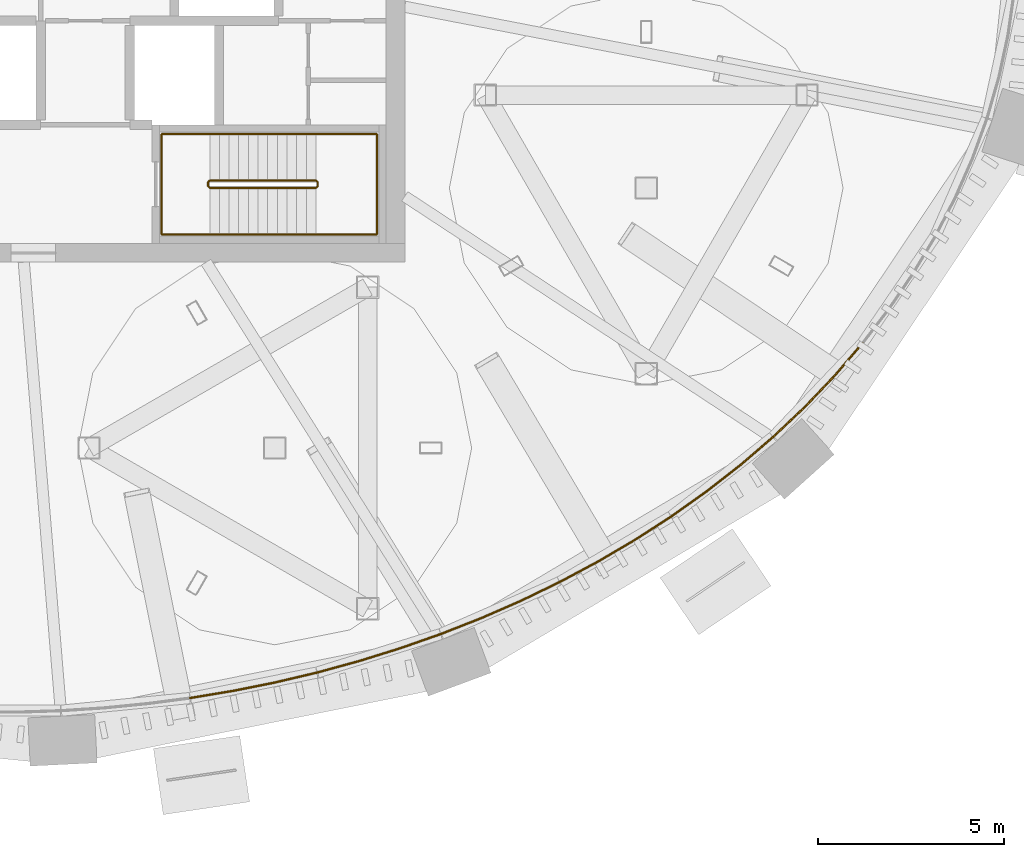
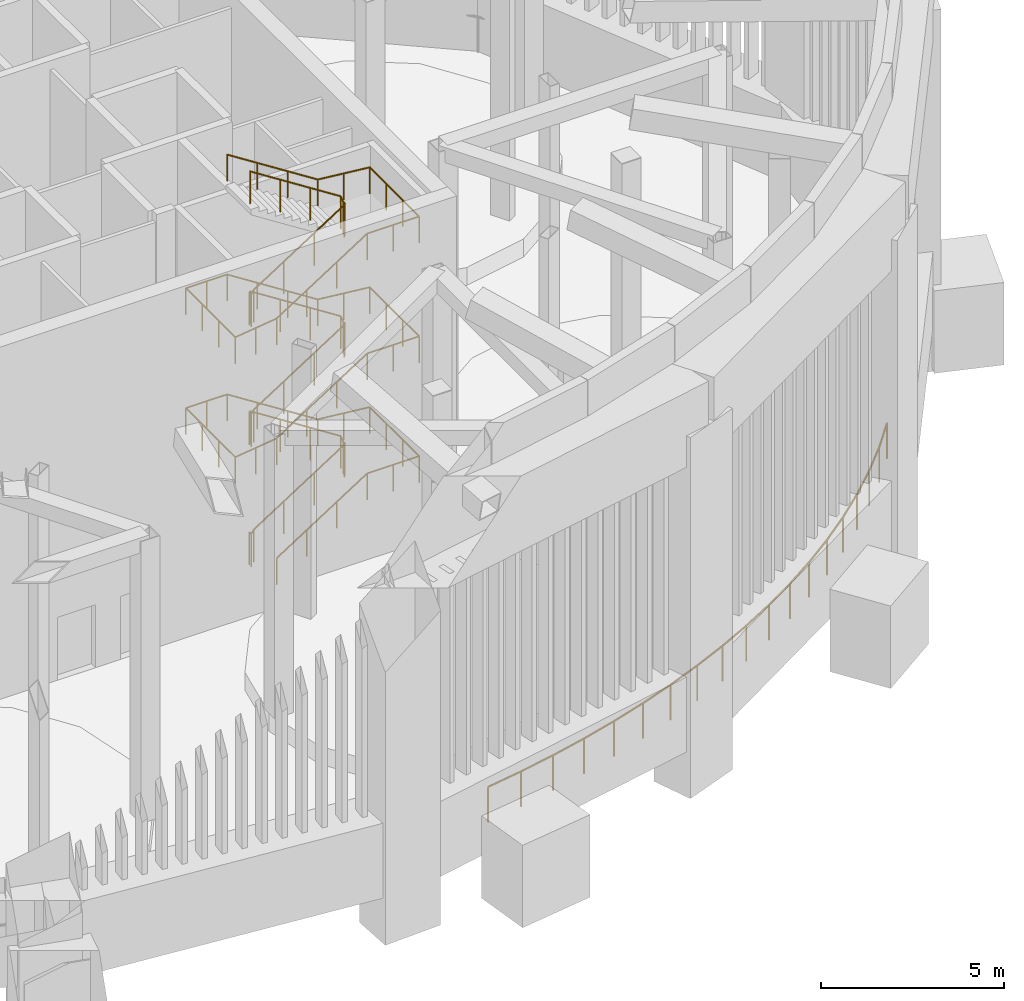
# One storey, part 12 of 14: 5 railings.
"""IFC4 building model written with IfcOpenShell, lengths in metres."""

from ifc_helpers import new_model, si_unit, direction, frame, origin, origin_2d, place, context, subcontext, project, spatial, circle, extrude, source, transform, mapped, material, type_object, element, save


model = new_model("IFC4")

# Units and contexts
model_context = context("Model", 3, precision=1e-05, world=origin(), true_north=direction((0.0, 1.0)))
body_context = subcontext(model_context, "Body", "Model", "MODEL_VIEW")
ifc_project = project(units=[si_unit("LENGTHUNIT", "METRE"), si_unit("AREAUNIT", "SQUARE_METRE"), si_unit("VOLUMEUNIT", "CUBIC_METRE"), si_unit("PLANEANGLEUNIT", "RADIAN"), si_unit("MASSUNIT", "GRAM", prefix="KILO")], contexts=[model_context])

# Site, building, storey
site_placement = place(None, origin())
site = spatial("IfcSite", under=ifc_project, at=site_placement, CompositionType="ELEMENT")
building_placement = place(site_placement, origin())
building = spatial("IfcBuilding", under=site, at=building_placement, Name="Embergate Tower", CompositionType="ELEMENT")
storey_placement = place(building_placement, frame((0.0, 0.0, 340.0)))
storey = spatial("IfcBuildingStorey", under=building, at=storey_placement, Name="L79", CompositionType="ELEMENT", Elevation=340.0)

# Railings
ifc_material_1 = material(Name="Steel Q355B", Category="steel")
railing_type_1 = type_object("IfcRailingType", Name="Slot edge guard", PredefinedType="GUARDRAIL", material=ifc_material_1)
shared_shape_1 = source(origin(), body_context, "Body", "SweptSolid", [
    extrude(circle(Radius=0.030029296875, at=origin_2d()), frame((0.0, 0.0, 1.169921875), z_axis=(0.986568377457, 0.163348818796, 0.0), x_axis=(-0.163348818796, 0.986568377457, 0.0)), (0.0, 0.0, 1.0), 1.168701171875),
    extrude(circle(Radius=0.030029296875, at=origin_2d()), frame((1.153076171875, 0.19091796875, 1.169921875), z_axis=(0.980475716763, 0.19664020148, 0.0), x_axis=(-0.19664020148, 0.980475716763, 0.0)), (0.0, 0.0, 1.0), 1.16455078125),
    extrude(circle(Radius=0.030029296875, at=origin_2d()), frame((2.294921875, 0.419921875, 1.169921875), z_axis=(0.973245494362, 0.229767725548, 0.0), x_axis=(-0.229767725548, 0.973245494362, 0.0)), (0.0, 0.0, 1.0), 1.158203125),
    extrude(circle(Radius=0.030029296875, at=origin_2d()), frame((3.422119140625, 0.68603515625, 1.169921875), z_axis=(0.964614558628, 0.26366409176, 0.0), x_axis=(-0.26366409176, 0.964614558628, 0.0)), (0.0, 0.0, 1.0), 1.17138671875),
    extrude(circle(Radius=0.030029296875, at=origin_2d()), frame((4.552001953125, 0.994873046875, 1.169921875), z_axis=(0.954789306627, 0.297283332782, 0.0), x_axis=(-0.297283332782, 0.954789306627, 0.0)), (0.0, 0.0, 1.0), 1.16357421875),
    extrude(circle(Radius=0.030029296875, at=origin_2d()), frame((5.6630859375, 1.3408203125, 1.169921875), z_axis=(0.943538634761, 0.331262501217, 0.0), x_axis=(-0.331262501217, 0.943538634761, 0.0)), (0.0, 0.0, 1.0), 1.15625),
    extrude(circle(Radius=0.02490234375, at=origin_2d()), origin(), (0.0, 0.0, 1.0), 1.139892578125),
    extrude(circle(Radius=0.02490234375, at=origin_2d()), frame((1.153076171875, 0.19091796875, 0.0)), (0.0, 0.0, 1.0), 1.139892578125),
    extrude(circle(Radius=0.02490234375, at=origin_2d()), frame((2.294921875, 0.419921875, 0.0)), (0.0, 0.0, 1.0), 1.139892578125),
    extrude(circle(Radius=0.02490234375, at=origin_2d()), frame((3.422119140625, 0.68603515625, 0.0)), (0.0, 0.0, 1.0), 1.139892578125),
    extrude(circle(Radius=0.02490234375, at=origin_2d()), frame((4.552001953125, 0.994873046875, 0.0)), (0.0, 0.0, 1.0), 1.139892578125),
    extrude(circle(Radius=0.02490234375, at=origin_2d()), frame((5.6630859375, 1.3408203125, 0.0)), (0.0, 0.0, 1.0), 1.139892578125),
    extrude(circle(Radius=0.02490234375, at=origin_2d()), frame((6.754150390625, 1.723876953125, 0.0)), (0.0, 0.0, 1.0), 1.139892578125),
])
railing_1_placement = place(storey_placement, frame((5.219970703125, -20.73193359375, 0.0)))
element("IfcRailing", 1, at=railing_1_placement, inside=storey, type_object=railing_type_1, Name="GRD-L79-17", PredefinedType="GUARDRAIL", context=body_context, shape_type="MappedRepresentation", body=[
    mapped(shared_shape_1, transform((0.0, 0.0, 0.0))),
])
shared_shape_2 = source(origin(), body_context, "Body", "SweptSolid", [
    extrude(circle(Radius=0.030029296875, at=origin_2d()), frame((0.0, 0.0, 1.169921875), z_axis=(0.93074137423, 0.365678129365, 0.0), x_axis=(-0.365678129365, 0.93074137423, 0.0)), (0.0, 0.0, 1.0), 1.173095703125),
    extrude(circle(Radius=0.030029296875, at=origin_2d()), frame((1.091796875, 0.428955078125, 1.169921875), z_axis=(0.91627768128, 0.400543644049, 0.0), x_axis=(-0.400543644049, 0.91627768128, 0.0)), (0.0, 0.0, 1.0), 1.16357421875),
    extrude(circle(Radius=0.030029296875, at=origin_2d()), frame((2.157958984375, 0.89501953125, 1.169921875), z_axis=(0.899904745665, 0.436086515189, 0.0), x_axis=(-0.436086515189, 0.899904745665, 0.0)), (0.0, 0.0, 1.0), 1.1533203125),
    extrude(circle(Radius=0.030029296875, at=origin_2d()), frame((3.19580078125, 1.39794921875, 1.169921875), z_axis=(0.882134203218, 0.470998139607, 0.0), x_axis=(-0.470998139607, 0.882134203218, 0.0)), (0.0, 0.0, 1.0), 1.174560546875),
    extrude(circle(Radius=0.030029296875, at=origin_2d()), frame((4.23193359375, 1.951171875, 1.169921875), z_axis=(0.86234405618, 0.506322751584, 0.0), x_axis=(-0.506322751584, 0.86234405618, 0.0)), (0.0, 0.0, 1.0), 1.1630859375),
    extrude(circle(Radius=0.030029296875, at=origin_2d()), frame((5.23486328125, 2.5400390625, 1.169921875), z_axis=(0.83999704899, 0.542590967202, 0.0), x_axis=(-0.542590967202, 0.83999704899, 0.0)), (0.0, 0.0, 1.0), 1.150146484375),
    extrude(circle(Radius=0.02490234375, at=origin_2d()), origin(), (0.0, 0.0, 1.0), 1.139892578125),
    extrude(circle(Radius=0.02490234375, at=origin_2d()), frame((1.091796875, 0.428955078125, 0.0)), (0.0, 0.0, 1.0), 1.139892578125),
    extrude(circle(Radius=0.02490234375, at=origin_2d()), frame((2.157958984375, 0.89501953125, 0.0)), (0.0, 0.0, 1.0), 1.139892578125),
    extrude(circle(Radius=0.02490234375, at=origin_2d()), frame((3.19580078125, 1.39794921875, 0.0)), (0.0, 0.0, 1.0), 1.139892578125),
    extrude(circle(Radius=0.02490234375, at=origin_2d()), frame((4.23193359375, 1.951171875, 0.0)), (0.0, 0.0, 1.0), 1.139892578125),
    extrude(circle(Radius=0.02490234375, at=origin_2d()), frame((5.23486328125, 2.5400390625, 0.0)), (0.0, 0.0, 1.0), 1.139892578125),
    extrude(circle(Radius=0.02490234375, at=origin_2d()), frame((6.200927734375, 3.1640625, 0.0)), (0.0, 0.0, 1.0), 1.139892578125),
])
railing_2_placement = place(storey_placement, frame((11.97412109375, -19.008056640625, 0.0)))
element("IfcRailing", 2, at=railing_2_placement, inside=storey, type_object=railing_type_1, Name="GRD-L79-18", PredefinedType="GUARDRAIL", context=body_context, shape_type="MappedRepresentation", body=[
    mapped(shared_shape_2, transform((0.0, 0.0, 0.0))),
])
shared_shape_3 = source(origin(), body_context, "Body", "SweptSolid", [
    extrude(circle(Radius=0.030029296875, at=origin_2d()), frame((0.0, 0.0, 1.169921875), z_axis=(0.815371226091, 0.578938480033, 0.0), x_axis=(-0.578938480033, 0.815371226091, 0.0)), (0.0, 0.0, 1.0), 1.176025390625),
    extrude(circle(Radius=0.030029296875, at=origin_2d()), frame((0.958984375, 0.680908203125, 1.169921875), z_axis=(0.788571535905, 0.614943032126, 0.0), x_axis=(-0.614943032126, 0.788571535905, 0.0)), (0.0, 0.0, 1.0), 1.162841796875),
    extrude(circle(Radius=0.030029296875, at=origin_2d()), frame((1.8759765625, 1.39599609375, 1.169921875), z_axis=(0.758204132151, 0.652017249764, 0.0), x_axis=(-0.652017249764, 0.758204132151, 0.0)), (0.0, 0.0, 1.0), 1.147216796875),
    extrude(circle(Radius=0.030029296875, at=origin_2d()), frame((2.745849609375, 2.14404296875, 1.169921875), z_axis=(0.72643762883, 0.687232399861, 0.0), x_axis=(-0.687232399861, 0.72643762883, 0.0)), (0.0, 0.0, 1.0), 1.177001953125),
    extrude(circle(Radius=0.030029296875, at=origin_2d()), frame((3.600830078125, 2.952880859375, 1.169921875), z_axis=(0.690080457651, 0.723732659183, 0.0), x_axis=(-0.723732659183, 0.690080457651, 0.0)), (0.0, 0.0, 1.0), 1.160888671875),
    extrude(circle(Radius=0.030029296875, at=origin_2d()), frame((4.40185546875, 3.79296875, 1.169921875), z_axis=(0.650931692548, 0.759136306362, 0.0), x_axis=(-0.759136306362, 0.650931692548, 0.0)), (0.0, 0.0, 1.0), 1.146240234375),
    extrude(circle(Radius=0.02490234375, at=origin_2d()), origin(), (0.0, 0.0, 1.0), 1.139892578125),
    extrude(circle(Radius=0.02490234375, at=origin_2d()), frame((0.958984375, 0.680908203125, 0.0)), (0.0, 0.0, 1.0), 1.139892578125),
    extrude(circle(Radius=0.02490234375, at=origin_2d()), frame((1.8759765625, 1.39599609375, 0.0)), (0.0, 0.0, 1.0), 1.139892578125),
    extrude(circle(Radius=0.02490234375, at=origin_2d()), frame((2.745849609375, 2.14404296875, 0.0)), (0.0, 0.0, 1.0), 1.139892578125),
    extrude(circle(Radius=0.02490234375, at=origin_2d()), frame((3.600830078125, 2.952880859375, 0.0)), (0.0, 0.0, 1.0), 1.139892578125),
    extrude(circle(Radius=0.02490234375, at=origin_2d()), frame((4.40185546875, 3.79296875, 0.0)), (0.0, 0.0, 1.0), 1.139892578125),
    extrude(circle(Radius=0.02490234375, at=origin_2d()), frame((5.14794921875, 4.6630859375, 0.0)), (0.0, 0.0, 1.0), 1.139892578125),
])
railing_3_placement = place(storey_placement, frame((18.175048828125, -15.843994140625, 0.0)))
element("IfcRailing", 3, at=railing_3_placement, inside=storey, type_object=railing_type_1, Name="GRD-L79-19", PredefinedType="GUARDRAIL", context=body_context, shape_type="MappedRepresentation", body=[
    mapped(shared_shape_3, transform((0.0, 0.0, 0.0))),
])
ifc_material_2 = material(Name="Stair guard 1100")
railing_type_2 = type_object("IfcRailingType", Name="Stair guard 1100", PredefinedType="GUARDRAIL", material=ifc_material_2)
shared_shape_4 = source(origin(), body_context, "Body", "SweptSolid", [
    extrude(circle(Radius=0.02392578125, at=origin_2d()), frame((0.0, 0.0, 1.076171875), z_axis=(0.0, -1.0, 0.0), x_axis=(1.0, 0.0, 0.0)), (0.0, 0.0, 1.0), 0.099853515625),
    extrude(circle(Radius=0.02392578125, at=origin_2d()), frame((0.0, -0.099853515625, 1.076171875), z_axis=(0.27628659633, -0.27628659633, 0.920506074601), x_axis=(0.707106781187, 0.707106781187, 0.0)), (0.0, 0.0, 1.0), 0.18115234375),
    extrude(circle(Radius=0.02392578125, at=origin_2d()), frame((0.050048828125, -0.14990234375, 1.24267578125), z_axis=(0.841899231129, 0.0, 0.539634769658), x_axis=(0.0, 1.0, 0.0)), (0.0, 0.0, 1.0), 3.397216796875),
    extrude(circle(Radius=0.02392578125, at=origin_2d()), frame((2.91015625, -0.14990234375, 3.076171875), z_axis=(0.705375805398, 0.708833529934, 0.0), x_axis=(-0.708833529934, 0.705375805398, 0.0)), (0.0, 0.0, 1.0), 0.070556640625),
    extrude(circle(Radius=0.02392578125, at=origin_2d()), frame((2.9599609375, -0.099853515625, 3.076171875), z_axis=(0.0, 1.0, 0.0), x_axis=(-1.0, 0.0, 0.0)), (0.0, 0.0, 1.0), 0.099853515625),
    extrude(circle(Radius=0.02392578125, at=origin_2d()), frame((2.9599609375, 0.0, 3.076171875), z_axis=(-0.275041040955, 0.276389281352, 0.920848191041), x_axis=(-0.708833529934, -0.705375805398, 0.0)), (0.0, 0.0, 1.0), 0.18115234375),
    extrude(circle(Radius=0.02392578125, at=origin_2d()), frame((2.91015625, 0.050048828125, 3.24267578125), z_axis=(-0.841899231129, 0.0, 0.539634769658), x_axis=(0.0, -1.0, 0.0)), (0.0, 0.0, 1.0), 3.397216796875),
    extrude(circle(Radius=0.02392578125, at=origin_2d()), frame((0.050048828125, 0.050048828125, 5.076171875), z_axis=(-0.707106781187, -0.707106781187, 0.0), x_axis=(0.707106781187, -0.707106781187, 0.0)), (0.0, 0.0, 1.0), 0.07080078125),
    extrude(circle(Radius=0.02392578125, at=origin_2d()), frame((0.0, 0.0, 5.076171875), z_axis=(0.0, -1.0, 0.0), x_axis=(1.0, 0.0, 0.0)), (0.0, 0.0, 1.0), 0.099853515625),
    extrude(circle(Radius=0.02392578125, at=origin_2d()), frame((0.0, -0.099853515625, 5.076171875), z_axis=(0.27628659633, -0.27628659633, 0.920506074601), x_axis=(0.707106781187, 0.707106781187, 0.0)), (0.0, 0.0, 1.0), 0.18115234375),
    extrude(circle(Radius=0.02392578125, at=origin_2d()), frame((0.050048828125, -0.14990234375, 5.24267578125), z_axis=(0.841899231129, 0.0, 0.539634769658), x_axis=(0.0, 1.0, 0.0)), (0.0, 0.0, 1.0), 3.397216796875),
    extrude(circle(Radius=0.02392578125, at=origin_2d()), frame((2.91015625, -0.14990234375, 7.076171875), z_axis=(0.705375805398, 0.708833529934, 0.0), x_axis=(-0.708833529934, 0.705375805398, 0.0)), (0.0, 0.0, 1.0), 0.070556640625),
    extrude(circle(Radius=0.02392578125, at=origin_2d()), frame((2.9599609375, -0.099853515625, 7.076171875), z_axis=(0.0, 1.0, 0.0), x_axis=(-1.0, 0.0, 0.0)), (0.0, 0.0, 1.0), 0.099853515625),
    extrude(circle(Radius=0.02392578125, at=origin_2d()), frame((2.9599609375, 0.0, 7.076171875), z_axis=(-0.275041040955, 0.276389281352, 0.920848191041), x_axis=(-0.708833529934, -0.705375805398, 0.0)), (0.0, 0.0, 1.0), 0.18115234375),
    extrude(circle(Radius=0.02392578125, at=origin_2d()), frame((2.91015625, 0.050048828125, 7.24267578125), z_axis=(-0.841899231129, 0.0, 0.539634769658), x_axis=(0.0, -1.0, 0.0)), (0.0, 0.0, 1.0), 3.397216796875),
    extrude(circle(Radius=0.02392578125, at=origin_2d()), frame((0.050048828125, 0.050048828125, 9.076171875), z_axis=(-0.707106781187, -0.707106781187, 0.0), x_axis=(0.707106781187, -0.707106781187, 0.0)), (0.0, 0.0, 1.0), 0.07080078125),
    extrude(circle(Radius=0.02392578125, at=origin_2d()), frame((0.0, 0.0, 9.076171875), z_axis=(0.0, -1.0, 0.0), x_axis=(1.0, 0.0, 0.0)), (0.0, 0.0, 1.0), 0.099853515625),
    extrude(circle(Radius=0.02392578125, at=origin_2d()), frame((0.0, -0.099853515625, 9.076171875), z_axis=(0.27628659633, -0.27628659633, 0.920506074601), x_axis=(0.707106781187, 0.707106781187, 0.0)), (0.0, 0.0, 1.0), 0.18115234375),
    extrude(circle(Radius=0.02392578125, at=origin_2d()), frame((0.050048828125, -0.14990234375, 9.24267578125), z_axis=(0.841899231129, 0.0, 0.539634769658), x_axis=(0.0, 1.0, 0.0)), (0.0, 0.0, 1.0), 3.397216796875),
    extrude(circle(Radius=0.02392578125, at=origin_2d()), frame((2.91015625, -0.14990234375, 11.076171875), z_axis=(0.705375805398, 0.708833529934, 0.0), x_axis=(-0.708833529934, 0.705375805398, 0.0)), (0.0, 0.0, 1.0), 0.070556640625),
    extrude(circle(Radius=0.02392578125, at=origin_2d()), frame((2.9599609375, -0.099853515625, 11.076171875), z_axis=(0.0, 1.0, 0.0), x_axis=(-1.0, 0.0, 0.0)), (0.0, 0.0, 1.0), 0.099853515625),
    extrude(circle(Radius=0.02392578125, at=origin_2d()), frame((2.9599609375, 0.0, 11.076171875), z_axis=(-0.275041040955, 0.276389281352, 0.920848191041), x_axis=(-0.708833529934, -0.705375805398, 0.0)), (0.0, 0.0, 1.0), 0.18115234375),
    extrude(circle(Radius=0.02392578125, at=origin_2d()), frame((2.91015625, 0.050048828125, 11.24267578125), z_axis=(-0.841899231129, 0.0, 0.539634769658), x_axis=(0.0, -1.0, 0.0)), (0.0, 0.0, 1.0), 3.397216796875),
    extrude(circle(Radius=0.02099609375, at=origin_2d()), origin(), (0.0, 0.0, 1.0), 1.052001953125),
    extrude(circle(Radius=0.02099609375, at=origin_2d()), frame((0.0, -0.099853515625, 0.0)), (0.0, 0.0, 1.0), 1.052001953125),
    extrude(circle(Radius=0.02099609375, at=origin_2d()), frame((0.050048828125, -0.14990234375, 0.166748046875)), (0.0, 0.0, 1.0), 1.052001953125),
    extrude(circle(Radius=0.02099609375, at=origin_2d()), frame((1.00341796875, -0.14990234375, 0.77783203125)), (0.0, 0.0, 1.0), 1.052001953125),
    extrude(circle(Radius=0.02099609375, at=origin_2d()), frame((1.956787109375, -0.14990234375, 1.388916015625)), (0.0, 0.0, 1.0), 1.052001953125),
    extrude(circle(Radius=0.02099609375, at=origin_2d()), frame((2.91015625, -0.14990234375, 2.0)), (0.0, 0.0, 1.0), 1.052001953125),
    extrude(circle(Radius=0.02099609375, at=origin_2d()), frame((2.9599609375, -0.099853515625, 2.0)), (0.0, 0.0, 1.0), 1.052001953125),
    extrude(circle(Radius=0.02099609375, at=origin_2d()), frame((2.9599609375, 0.0, 2.0)), (0.0, 0.0, 1.0), 1.052001953125),
    extrude(circle(Radius=0.02099609375, at=origin_2d()), frame((2.91015625, 0.050048828125, 2.166748046875)), (0.0, 0.0, 1.0), 1.052001953125),
    extrude(circle(Radius=0.02099609375, at=origin_2d()), frame((1.956787109375, 0.050048828125, 2.77783203125)), (0.0, 0.0, 1.0), 1.052001953125),
    extrude(circle(Radius=0.02099609375, at=origin_2d()), frame((1.00341796875, 0.050048828125, 3.388916015625)), (0.0, 0.0, 1.0), 1.052001953125),
    extrude(circle(Radius=0.02099609375, at=origin_2d()), frame((0.050048828125, 0.050048828125, 4.0)), (0.0, 0.0, 1.0), 1.052001953125),
    extrude(circle(Radius=0.02099609375, at=origin_2d()), frame((0.0, 0.0, 4.0)), (0.0, 0.0, 1.0), 1.052001953125),
    extrude(circle(Radius=0.02099609375, at=origin_2d()), frame((0.0, -0.099853515625, 4.0)), (0.0, 0.0, 1.0), 1.052001953125),
    extrude(circle(Radius=0.02099609375, at=origin_2d()), frame((0.050048828125, -0.14990234375, 4.166748046875)), (0.0, 0.0, 1.0), 1.052001953125),
    extrude(circle(Radius=0.02099609375, at=origin_2d()), frame((1.00341796875, -0.14990234375, 4.77783203125)), (0.0, 0.0, 1.0), 1.052001953125),
    extrude(circle(Radius=0.02099609375, at=origin_2d()), frame((1.956787109375, -0.14990234375, 5.388916015625)), (0.0, 0.0, 1.0), 1.052001953125),
    extrude(circle(Radius=0.02099609375, at=origin_2d()), frame((2.91015625, -0.14990234375, 6.0)), (0.0, 0.0, 1.0), 1.052001953125),
    extrude(circle(Radius=0.02099609375, at=origin_2d()), frame((2.9599609375, -0.099853515625, 6.0)), (0.0, 0.0, 1.0), 1.052001953125),
    extrude(circle(Radius=0.02099609375, at=origin_2d()), frame((2.9599609375, 0.0, 6.0)), (0.0, 0.0, 1.0), 1.052001953125),
    extrude(circle(Radius=0.02099609375, at=origin_2d()), frame((2.91015625, 0.050048828125, 6.166748046875)), (0.0, 0.0, 1.0), 1.052001953125),
    extrude(circle(Radius=0.02099609375, at=origin_2d()), frame((1.956787109375, 0.050048828125, 6.77783203125)), (0.0, 0.0, 1.0), 1.052001953125),
    extrude(circle(Radius=0.02099609375, at=origin_2d()), frame((1.00341796875, 0.050048828125, 7.388916015625)), (0.0, 0.0, 1.0), 1.052001953125),
    extrude(circle(Radius=0.02099609375, at=origin_2d()), frame((0.050048828125, 0.050048828125, 8.0)), (0.0, 0.0, 1.0), 1.052001953125),
    extrude(circle(Radius=0.02099609375, at=origin_2d()), frame((0.0, 0.0, 8.0)), (0.0, 0.0, 1.0), 1.052001953125),
    extrude(circle(Radius=0.02099609375, at=origin_2d()), frame((0.0, -0.099853515625, 8.0)), (0.0, 0.0, 1.0), 1.052001953125),
    extrude(circle(Radius=0.02099609375, at=origin_2d()), frame((0.050048828125, -0.14990234375, 8.166748046875)), (0.0, 0.0, 1.0), 1.052001953125),
    extrude(circle(Radius=0.02099609375, at=origin_2d()), frame((1.00341796875, -0.14990234375, 8.77783203125)), (0.0, 0.0, 1.0), 1.052001953125),
    extrude(circle(Radius=0.02099609375, at=origin_2d()), frame((1.956787109375, -0.14990234375, 9.388916015625)), (0.0, 0.0, 1.0), 1.052001953125),
    extrude(circle(Radius=0.02099609375, at=origin_2d()), frame((2.91015625, -0.14990234375, 10.0)), (0.0, 0.0, 1.0), 1.052001953125),
    extrude(circle(Radius=0.02099609375, at=origin_2d()), frame((2.9599609375, -0.099853515625, 10.0)), (0.0, 0.0, 1.0), 1.052001953125),
    extrude(circle(Radius=0.02099609375, at=origin_2d()), frame((2.9599609375, 0.0, 10.0)), (0.0, 0.0, 1.0), 1.052001953125),
    extrude(circle(Radius=0.02099609375, at=origin_2d()), frame((2.91015625, 0.050048828125, 10.166748046875)), (0.0, 0.0, 1.0), 1.052001953125),
    extrude(circle(Radius=0.02099609375, at=origin_2d()), frame((1.956787109375, 0.050048828125, 10.77783203125)), (0.0, 0.0, 1.0), 1.052001953125),
    extrude(circle(Radius=0.02099609375, at=origin_2d()), frame((1.00341796875, 0.050048828125, 11.388916015625)), (0.0, 0.0, 1.0), 1.052001953125),
    extrude(circle(Radius=0.02099609375, at=origin_2d()), frame((0.050048828125, 0.050048828125, 12.0)), (0.0, 0.0, 1.0), 1.052001953125),
])
railing_4_placement = place(storey_placement, frame((5.699951171875, -6.85009765625, 0.0)))
element("IfcRailing", 4, at=railing_4_placement, inside=storey, type_object=railing_type_2, Name="L79 ST4 stair guard 1", PredefinedType="GUARDRAIL", context=body_context, shape_type="MappedRepresentation", body=[
    mapped(shared_shape_4, transform((0.0, 0.0, 0.0))),
])
ifc_material_3 = material(Name="Stair handrail 900")
railing_type_3 = type_object("IfcRailingType", Name="Stair handrail 900", PredefinedType="HANDRAIL", material=ifc_material_3)
shared_shape_5 = source(origin(), body_context, "Body", "SweptSolid", [
    extrude(circle(Radius=0.02392578125, at=origin_2d()), frame((0.0, 0.0, 0.8759765625), z_axis=(0.841899231129, 0.0, 0.539634769658), x_axis=(0.0, 1.0, 0.0)), (0.0, 0.0, 1.0), 3.397216796875),
    extrude(circle(Radius=0.02392578125, at=origin_2d()), frame((2.860107421875, 0.0, 2.708984375), z_axis=(1.0, 0.0, 0.0), x_axis=(0.0, 1.0, 0.0)), (0.0, 0.0, 1.0), 1.639892578125),
    extrude(circle(Radius=0.02392578125, at=origin_2d()), frame((4.5, 0.0, 2.708984375), z_axis=(0.0, 1.0, 0.0), x_axis=(-1.0, 0.0, 0.0)), (0.0, 0.0, 1.0), 2.699951171875),
    extrude(circle(Radius=0.02392578125, at=origin_2d()), frame((4.5, 2.699951171875, 2.708984375), z_axis=(-0.99487010061, 0.0, 0.101160678683), x_axis=(0.0, -1.0, 0.0)), (0.0, 0.0, 1.0), 1.6484375),
    extrude(circle(Radius=0.02392578125, at=origin_2d()), frame((2.860107421875, 2.699951171875, 2.8759765625), z_axis=(-0.841899231129, 0.0, 0.539634769658), x_axis=(0.0, -1.0, 0.0)), (0.0, 0.0, 1.0), 3.397216796875),
    extrude(circle(Radius=0.02392578125, at=origin_2d()), frame((0.0, 2.699951171875, 4.708984375), z_axis=(-1.0, 0.0, 0.0), x_axis=(0.0, -1.0, 0.0)), (0.0, 0.0, 1.0), 1.300048828125),
    extrude(circle(Radius=0.02392578125, at=origin_2d()), frame((-1.300048828125, 2.699951171875, 4.708984375), z_axis=(0.0, -1.0, 0.0), x_axis=(1.0, 0.0, 0.0)), (0.0, 0.0, 1.0), 2.699951171875),
    extrude(circle(Radius=0.02392578125, at=origin_2d()), frame((-1.300048828125, 0.0, 4.708984375), z_axis=(0.991874434073, 0.0, 0.12722070206), x_axis=(0.0, 1.0, 0.0)), (0.0, 0.0, 1.0), 1.310791015625),
    extrude(circle(Radius=0.02392578125, at=origin_2d()), frame((0.0, 0.0, 4.8759765625), z_axis=(0.841899231129, 0.0, 0.539634769658), x_axis=(0.0, 1.0, 0.0)), (0.0, 0.0, 1.0), 3.397216796875),
    extrude(circle(Radius=0.02392578125, at=origin_2d()), frame((2.860107421875, 0.0, 6.708984375), z_axis=(1.0, 0.0, 0.0), x_axis=(0.0, 1.0, 0.0)), (0.0, 0.0, 1.0), 1.639892578125),
    extrude(circle(Radius=0.02392578125, at=origin_2d()), frame((4.5, 0.0, 6.708984375), z_axis=(0.0, 1.0, 0.0), x_axis=(-1.0, 0.0, 0.0)), (0.0, 0.0, 1.0), 2.699951171875),
    extrude(circle(Radius=0.02392578125, at=origin_2d()), frame((4.5, 2.699951171875, 6.708984375), z_axis=(-0.99487010061, 0.0, 0.101160678683), x_axis=(0.0, -1.0, 0.0)), (0.0, 0.0, 1.0), 1.6484375),
    extrude(circle(Radius=0.02392578125, at=origin_2d()), frame((2.860107421875, 2.699951171875, 6.8759765625), z_axis=(-0.841899231129, 0.0, 0.539634769658), x_axis=(0.0, -1.0, 0.0)), (0.0, 0.0, 1.0), 3.397216796875),
    extrude(circle(Radius=0.02392578125, at=origin_2d()), frame((0.0, 2.699951171875, 8.708984375), z_axis=(-1.0, 0.0, 0.0), x_axis=(0.0, -1.0, 0.0)), (0.0, 0.0, 1.0), 1.300048828125),
    extrude(circle(Radius=0.02392578125, at=origin_2d()), frame((-1.300048828125, 2.699951171875, 8.708984375), z_axis=(0.0, -1.0, 0.0), x_axis=(1.0, 0.0, 0.0)), (0.0, 0.0, 1.0), 2.699951171875),
    extrude(circle(Radius=0.02392578125, at=origin_2d()), frame((-1.300048828125, 0.0, 8.708984375), z_axis=(0.991874434073, 0.0, 0.12722070206), x_axis=(0.0, 1.0, 0.0)), (0.0, 0.0, 1.0), 1.310791015625),
    extrude(circle(Radius=0.02392578125, at=origin_2d()), frame((0.0, 0.0, 8.8759765625), z_axis=(0.841899231129, 0.0, 0.539634769658), x_axis=(0.0, 1.0, 0.0)), (0.0, 0.0, 1.0), 3.397216796875),
    extrude(circle(Radius=0.02392578125, at=origin_2d()), frame((2.860107421875, 0.0, 10.708984375), z_axis=(1.0, 0.0, 0.0), x_axis=(0.0, 1.0, 0.0)), (0.0, 0.0, 1.0), 1.639892578125),
    extrude(circle(Radius=0.02392578125, at=origin_2d()), frame((4.5, 0.0, 10.708984375), z_axis=(0.0, 1.0, 0.0), x_axis=(-1.0, 0.0, 0.0)), (0.0, 0.0, 1.0), 2.699951171875),
    extrude(circle(Radius=0.02392578125, at=origin_2d()), frame((4.5, 2.699951171875, 10.708984375), z_axis=(-0.99487010061, 0.0, 0.101160678683), x_axis=(0.0, -1.0, 0.0)), (0.0, 0.0, 1.0), 1.6484375),
    extrude(circle(Radius=0.02392578125, at=origin_2d()), frame((2.860107421875, 2.699951171875, 10.8759765625), z_axis=(-0.841899231129, 0.0, 0.539634769658), x_axis=(0.0, -1.0, 0.0)), (0.0, 0.0, 1.0), 3.397216796875),
    extrude(circle(Radius=0.02099609375, at=origin_2d()), origin(), (0.0, 0.0, 1.0), 0.851806640625),
    extrude(circle(Radius=0.02099609375, at=origin_2d()), frame((0.953369140625, 0.0, 0.611083984375)), (0.0, 0.0, 1.0), 0.851806640625),
    extrude(circle(Radius=0.02099609375, at=origin_2d()), frame((1.90673828125, 0.0, 1.22216796875)), (0.0, 0.0, 1.0), 0.851806640625),
    extrude(circle(Radius=0.02099609375, at=origin_2d()), frame((2.860107421875, 0.0, 1.833251953125)), (0.0, 0.0, 1.0), 0.851806640625),
    extrude(circle(Radius=0.02099609375, at=origin_2d()), frame((3.68017578125, 0.0, 1.833251953125)), (0.0, 0.0, 1.0), 0.851806640625),
    extrude(circle(Radius=0.02099609375, at=origin_2d()), frame((4.5, 0.0, 1.833251953125)), (0.0, 0.0, 1.0), 0.851806640625),
    extrude(circle(Radius=0.02099609375, at=origin_2d()), frame((4.5, 0.89990234375, 1.833251953125)), (0.0, 0.0, 1.0), 0.851806640625),
    extrude(circle(Radius=0.02099609375, at=origin_2d()), frame((4.5, 1.800048828125, 1.833251953125)), (0.0, 0.0, 1.0), 0.851806640625),
    extrude(circle(Radius=0.02099609375, at=origin_2d()), frame((4.5, 2.699951171875, 1.833251953125)), (0.0, 0.0, 1.0), 0.851806640625),
    extrude(circle(Radius=0.02099609375, at=origin_2d()), frame((3.68017578125, 2.699951171875, 1.91650390625)), (0.0, 0.0, 1.0), 0.851806640625),
    extrude(circle(Radius=0.02099609375, at=origin_2d()), frame((2.860107421875, 2.699951171875, 2.0)), (0.0, 0.0, 1.0), 0.851806640625),
    extrude(circle(Radius=0.02099609375, at=origin_2d()), frame((1.90673828125, 2.699951171875, 2.611083984375)), (0.0, 0.0, 1.0), 0.851806640625),
    extrude(circle(Radius=0.02099609375, at=origin_2d()), frame((0.953369140625, 2.699951171875, 3.22216796875)), (0.0, 0.0, 1.0), 0.851806640625),
    extrude(circle(Radius=0.02099609375, at=origin_2d()), frame((0.0, 2.699951171875, 3.833251953125)), (0.0, 0.0, 1.0), 0.851806640625),
    extrude(circle(Radius=0.02099609375, at=origin_2d()), frame((-0.64990234375, 2.699951171875, 3.833251953125)), (0.0, 0.0, 1.0), 0.851806640625),
    extrude(circle(Radius=0.02099609375, at=origin_2d()), frame((-1.300048828125, 2.699951171875, 3.833251953125)), (0.0, 0.0, 1.0), 0.851806640625),
    extrude(circle(Radius=0.02099609375, at=origin_2d()), frame((-1.300048828125, 1.800048828125, 3.833251953125)), (0.0, 0.0, 1.0), 0.851806640625),
    extrude(circle(Radius=0.02099609375, at=origin_2d()), frame((-1.300048828125, 0.89990234375, 3.833251953125)), (0.0, 0.0, 1.0), 0.851806640625),
    extrude(circle(Radius=0.02099609375, at=origin_2d()), frame((-1.300048828125, 0.0, 3.833251953125)), (0.0, 0.0, 1.0), 0.851806640625),
    extrude(circle(Radius=0.02099609375, at=origin_2d()), frame((-0.64990234375, 0.0, 3.91650390625)), (0.0, 0.0, 1.0), 0.851806640625),
    extrude(circle(Radius=0.02099609375, at=origin_2d()), frame((0.0, 0.0, 4.0)), (0.0, 0.0, 1.0), 0.851806640625),
    extrude(circle(Radius=0.02099609375, at=origin_2d()), frame((0.953369140625, 0.0, 4.611083984375)), (0.0, 0.0, 1.0), 0.851806640625),
    extrude(circle(Radius=0.02099609375, at=origin_2d()), frame((1.90673828125, 0.0, 5.22216796875)), (0.0, 0.0, 1.0), 0.851806640625),
    extrude(circle(Radius=0.02099609375, at=origin_2d()), frame((2.860107421875, 0.0, 5.833251953125)), (0.0, 0.0, 1.0), 0.851806640625),
    extrude(circle(Radius=0.02099609375, at=origin_2d()), frame((3.68017578125, 0.0, 5.833251953125)), (0.0, 0.0, 1.0), 0.851806640625),
    extrude(circle(Radius=0.02099609375, at=origin_2d()), frame((4.5, 0.0, 5.833251953125)), (0.0, 0.0, 1.0), 0.851806640625),
    extrude(circle(Radius=0.02099609375, at=origin_2d()), frame((4.5, 0.89990234375, 5.833251953125)), (0.0, 0.0, 1.0), 0.851806640625),
    extrude(circle(Radius=0.02099609375, at=origin_2d()), frame((4.5, 1.800048828125, 5.833251953125)), (0.0, 0.0, 1.0), 0.851806640625),
    extrude(circle(Radius=0.02099609375, at=origin_2d()), frame((4.5, 2.699951171875, 5.833251953125)), (0.0, 0.0, 1.0), 0.851806640625),
    extrude(circle(Radius=0.02099609375, at=origin_2d()), frame((3.68017578125, 2.699951171875, 5.91650390625)), (0.0, 0.0, 1.0), 0.851806640625),
    extrude(circle(Radius=0.02099609375, at=origin_2d()), frame((2.860107421875, 2.699951171875, 6.0)), (0.0, 0.0, 1.0), 0.851806640625),
    extrude(circle(Radius=0.02099609375, at=origin_2d()), frame((1.90673828125, 2.699951171875, 6.611083984375)), (0.0, 0.0, 1.0), 0.851806640625),
    extrude(circle(Radius=0.02099609375, at=origin_2d()), frame((0.953369140625, 2.699951171875, 7.22216796875)), (0.0, 0.0, 1.0), 0.851806640625),
    extrude(circle(Radius=0.02099609375, at=origin_2d()), frame((0.0, 2.699951171875, 7.833251953125)), (0.0, 0.0, 1.0), 0.851806640625),
    extrude(circle(Radius=0.02099609375, at=origin_2d()), frame((-0.64990234375, 2.699951171875, 7.833251953125)), (0.0, 0.0, 1.0), 0.851806640625),
    extrude(circle(Radius=0.02099609375, at=origin_2d()), frame((-1.300048828125, 2.699951171875, 7.833251953125)), (0.0, 0.0, 1.0), 0.851806640625),
    extrude(circle(Radius=0.02099609375, at=origin_2d()), frame((-1.300048828125, 1.800048828125, 7.833251953125)), (0.0, 0.0, 1.0), 0.851806640625),
    extrude(circle(Radius=0.02099609375, at=origin_2d()), frame((-1.300048828125, 0.89990234375, 7.833251953125)), (0.0, 0.0, 1.0), 0.851806640625),
    extrude(circle(Radius=0.02099609375, at=origin_2d()), frame((-1.300048828125, 0.0, 7.833251953125)), (0.0, 0.0, 1.0), 0.851806640625),
    extrude(circle(Radius=0.02099609375, at=origin_2d()), frame((-0.64990234375, 0.0, 7.91650390625)), (0.0, 0.0, 1.0), 0.851806640625),
    extrude(circle(Radius=0.02099609375, at=origin_2d()), frame((0.0, 0.0, 8.0)), (0.0, 0.0, 1.0), 0.851806640625),
    extrude(circle(Radius=0.02099609375, at=origin_2d()), frame((0.953369140625, 0.0, 8.611083984375)), (0.0, 0.0, 1.0), 0.851806640625),
    extrude(circle(Radius=0.02099609375, at=origin_2d()), frame((1.90673828125, 0.0, 9.22216796875)), (0.0, 0.0, 1.0), 0.851806640625),
    extrude(circle(Radius=0.02099609375, at=origin_2d()), frame((2.860107421875, 0.0, 9.833251953125)), (0.0, 0.0, 1.0), 0.851806640625),
    extrude(circle(Radius=0.02099609375, at=origin_2d()), frame((3.68017578125, 0.0, 9.833251953125)), (0.0, 0.0, 1.0), 0.851806640625),
    extrude(circle(Radius=0.02099609375, at=origin_2d()), frame((4.5, 0.0, 9.833251953125)), (0.0, 0.0, 1.0), 0.851806640625),
    extrude(circle(Radius=0.02099609375, at=origin_2d()), frame((4.5, 0.89990234375, 9.833251953125)), (0.0, 0.0, 1.0), 0.851806640625),
    extrude(circle(Radius=0.02099609375, at=origin_2d()), frame((4.5, 1.800048828125, 9.833251953125)), (0.0, 0.0, 1.0), 0.851806640625),
    extrude(circle(Radius=0.02099609375, at=origin_2d()), frame((4.5, 2.699951171875, 9.833251953125)), (0.0, 0.0, 1.0), 0.851806640625),
    extrude(circle(Radius=0.02099609375, at=origin_2d()), frame((3.68017578125, 2.699951171875, 9.91650390625)), (0.0, 0.0, 1.0), 0.851806640625),
    extrude(circle(Radius=0.02099609375, at=origin_2d()), frame((2.860107421875, 2.699951171875, 10.0)), (0.0, 0.0, 1.0), 0.851806640625),
    extrude(circle(Radius=0.02099609375, at=origin_2d()), frame((1.90673828125, 2.699951171875, 10.611083984375)), (0.0, 0.0, 1.0), 0.851806640625),
    extrude(circle(Radius=0.02099609375, at=origin_2d()), frame((0.953369140625, 2.699951171875, 11.22216796875)), (0.0, 0.0, 1.0), 0.851806640625),
    extrude(circle(Radius=0.02099609375, at=origin_2d()), frame((0.0, 2.699951171875, 11.833251953125)), (0.0, 0.0, 1.0), 0.851806640625),
])
railing_5_placement = place(storey_placement, frame((5.75, -8.25, 0.166748046875)))
element("IfcRailing", 5, at=railing_5_placement, inside=storey, type_object=railing_type_3, Name="L79 ST4 stair handrail 1", PredefinedType="HANDRAIL", context=body_context, shape_type="MappedRepresentation", body=[
    mapped(shared_shape_5, transform((0.0, 0.0, 0.0))),
])

save(model, "model.ifc")
